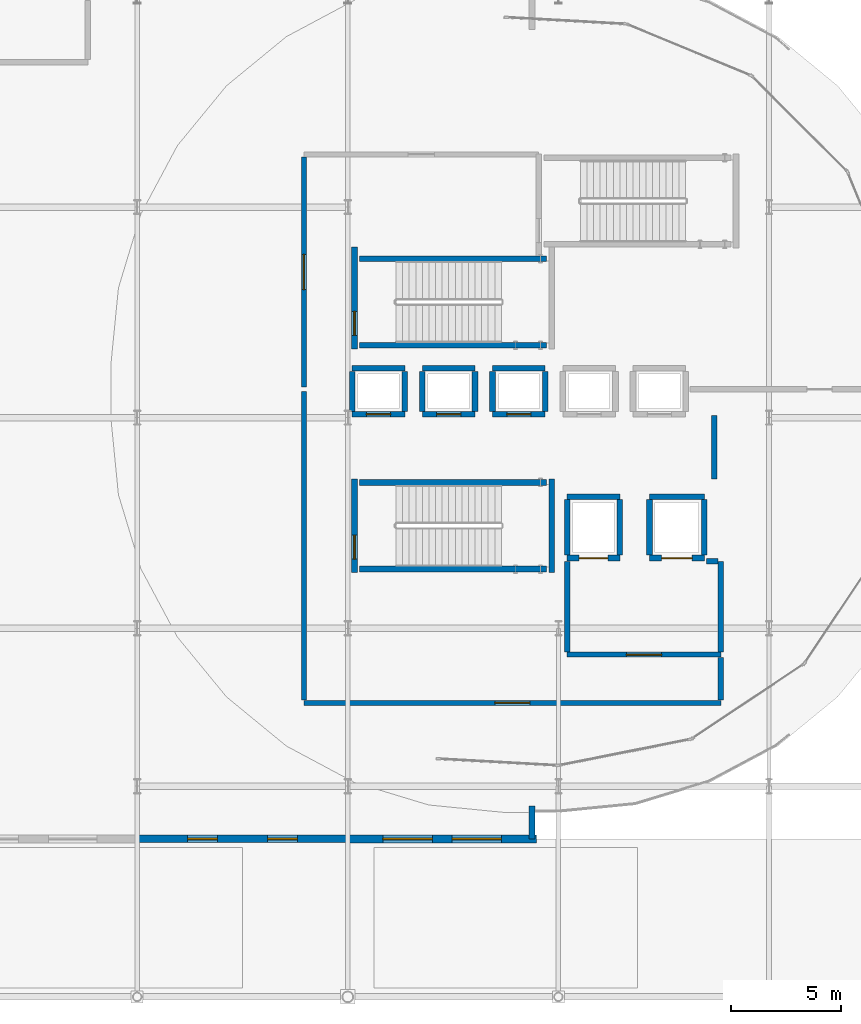
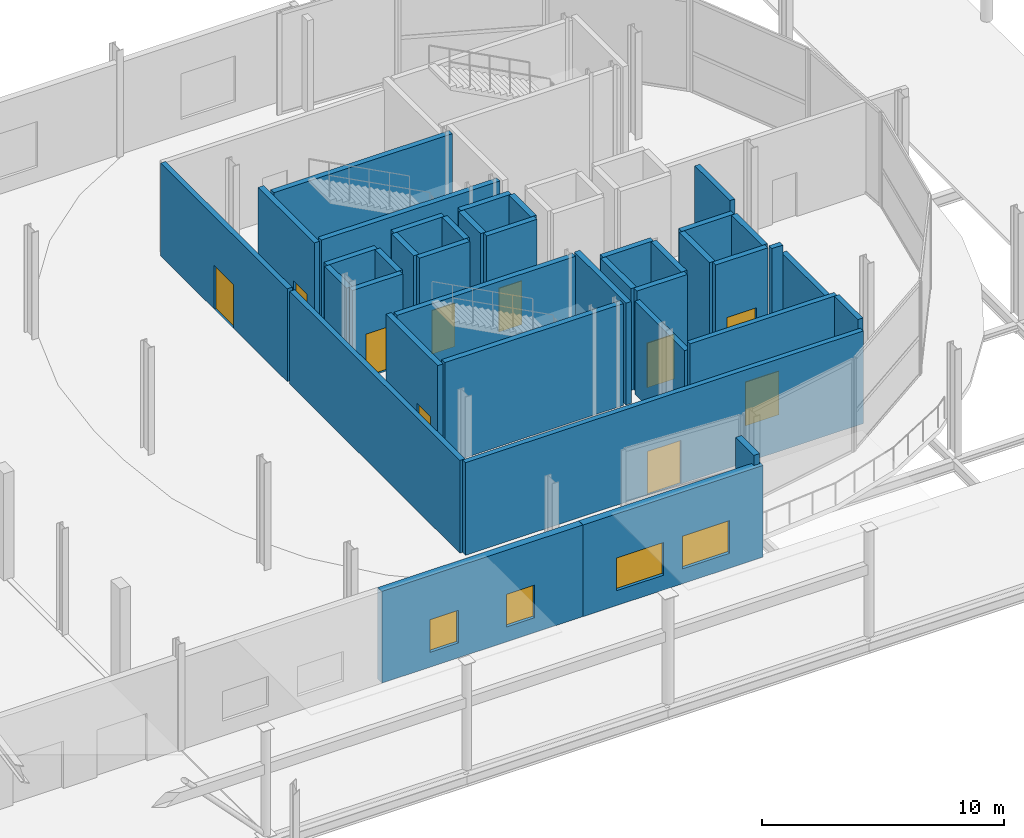
# One storey, part 58 of 84: 39 walls, 10 doors, 4 windows, 14 openings.
"""IFC4 building model written with IfcOpenShell, lengths in metres."""

from ifc_helpers import new_model, si_unit, direction, frame, frame_2d, origin, place, context, subcontext, project, spatial, rectangle, extrude, material, layer, layer_set, type_object, element, fill, save


model = new_model("IFC4")

# Units and contexts
model_context = context("Model", 3, precision=1e-05, world=origin(), true_north=direction((0.0, 1.0)))
body_context = subcontext(model_context, "Body", "Model", "MODEL_VIEW")
ifc_project = project(units=[si_unit("LENGTHUNIT", "METRE"), si_unit("AREAUNIT", "SQUARE_METRE"), si_unit("VOLUMEUNIT", "CUBIC_METRE"), si_unit("PLANEANGLEUNIT", "RADIAN"), si_unit("MASSUNIT", "GRAM", prefix="KILO")], contexts=[model_context])

# Site, building, storey
site_placement = place(None, origin())
site = spatial("IfcSite", under=ifc_project, at=site_placement, CompositionType="ELEMENT")
building_placement = place(site_placement, origin())
building = spatial("IfcBuilding", under=site, at=building_placement, Name="Zevrakil Square Congress Hotel", CompositionType="ELEMENT")
storey_placement = place(building_placement, origin())
storey = spatial("IfcBuildingStorey", under=building, at=storey_placement, Name="L01", CompositionType="ELEMENT", Elevation=0.0)

# Wall, opening, door
ifc_material_1 = material(Name="Concrete C35/45", Category="concrete")
ifc_layer_1 = layer(ifc_material_1, 0.239990234375)
ifc_layer_set_1 = layer_set([ifc_layer_1], Name="Concrete C35/45")
wall_type_1 = type_object("IfcWallType", Name="WAL-COMP-240", PredefinedType="SOLIDWALL", material=ifc_layer_set_1)
wall_1_placement = place(storey_placement, frame((146.800048828125, 15.60009765625, 0.0), z_axis=(0.0, 0.0, 1.0), x_axis=(1.0, 0.0, 0.0)))
wall_1 = element("IfcWall", 1, at=wall_1_placement, inside=storey, type_object=wall_type_1, Name="L01 interior partition PW-L01-0031", PredefinedType="SOLIDWALL", context=body_context, shape_type="SweptSolid", body=[
    extrude(rectangle(XDim=7.0, YDim=0.239990234375, at=frame_2d((3.5, 0.0))), origin(), (0.0, 0.0, 1.0), 5.139892578125),
])
opening_1_placement = place(wall_1_placement, frame((2.699951171875, 0.0, 0.0)))
opening_1 = element("IfcOpeningElement", 2, at=opening_1_placement, cuts=wall_1, Name="Opening FD90-D", PredefinedType="OPENING", context=body_context, shape_type="SweptSolid", body=[
    extrude(rectangle(XDim=1.60009765625, YDim=2.199951171875, at=frame_2d((0.800048828125, 1.10009765625))), frame((0.0, 0.1298828125, 0.0), z_axis=(0.0, -1.0, 0.0), x_axis=(1.0, 0.0, 0.0)), (0.0, 0.0, 1.0), 0.260009765625),
])
ifc_material_2 = material(Name="Steel S355 Double Fire Door", Category="steel")
door_type_1 = type_object("IfcDoorType", Name="DOR-FFLOB-FD90-160", OperationType="NOTDEFINED", PredefinedType="DOOR", material=ifc_material_2)
door_1_placement = place(opening_1_placement, origin())
door_1 = element("IfcDoor", 3, at=door_1_placement, inside=storey, type_object=door_type_1, Name="L01 interior door 8", OperationType="DOUBLE_DOOR_SINGLE_SWING", OverallHeight=2.199951171875, OverallWidth=1.60009765625, PredefinedType="DOOR", context=body_context, shape_type="SweptSolid", body=[
    extrude(rectangle(XDim=1.60009765625, YDim=2.199951171875, at=frame_2d((0.800048828125, 1.10009765625))), frame((0.0, 0.02490234375, 0.0), z_axis=(0.0, -1.0, 0.0), x_axis=(1.0, 0.0, 0.0)), (0.0, 0.0, 1.0), 0.050048828125),
])
fill(opening_1, door_1)

# Walls
for number, where, z_axis, x_axis, name in (
    (4, (146.800048828125, 15.72509765625, 0.0), (0.0, 0.0, 1.0), (0.0, 1.0, 0.0), "L01 interior partition PW-L01-0032"),
    (5, (153.800048828125, 15.72509765625, 0.0), (0.0, 0.0, 1.0), (0.0, 1.0, 0.0), "L01 interior partition PW-L01-0033"),
):
    element("IfcWall", number, at=place(storey_placement, frame(where, z_axis=z_axis, x_axis=x_axis)), inside=storey, type_object=wall_type_1, Name=name, PredefinedType="SOLIDWALL", context=body_context, shape_type="SweptSolid", body=[
        extrude(rectangle(XDim=4.125, YDim=0.239990234375, at=frame_2d((2.0625, 0.0))), origin(), (0.0, 0.0, 1.0), 4.68505859375),
    ])
wall_2_placement = place(storey_placement, frame((153.14990234375, 19.85009765625, 0.0), z_axis=(0.0, 0.0, 1.0), x_axis=(1.0, 0.0, 0.0)))
element("IfcWall", 6, at=wall_2_placement, inside=storey, type_object=wall_type_1, Name="L01 interior partition PW-L01-0034", PredefinedType="SOLIDWALL", context=body_context, shape_type="SweptSolid", body=[
    extrude(rectangle(XDim=0.525146484375, YDim=0.239990234375, at=frame_2d((0.2626953125, 0.0))), origin(), (0.0, 0.0, 1.0), 5.139892578125),
])

# Wall, opening, door
wall_3_placement = place(storey_placement, frame((134.800048828125, 13.39990234375, 0.0), z_axis=(0.0, 0.0, 1.0), x_axis=(1.0, 0.0, 0.0)))
wall_3 = element("IfcWall", 7, at=wall_3_placement, inside=storey, type_object=wall_type_1, Name="L01 interior partition PW-L01-0035", PredefinedType="SOLIDWALL", context=body_context, shape_type="SweptSolid", body=[
    extrude(rectangle(XDim=19.0, YDim=0.239990234375, at=frame_2d((9.5, 0.0))), origin(), (0.0, 0.0, 1.0), 4.675048828125),
])
opening_2_placement = place(wall_3_placement, frame((8.699951171875, 0.0, 0.0)))
opening_2 = element("IfcOpeningElement", 8, at=opening_2_placement, cuts=wall_3, Name="Opening FD90-D", PredefinedType="OPENING", context=body_context, shape_type="SweptSolid", body=[
    extrude(rectangle(XDim=1.60009765625, YDim=2.199951171875, at=frame_2d((0.800048828125, 1.10009765625))), frame((0.0, 0.1298828125, 0.0), z_axis=(0.0, -1.0, 0.0), x_axis=(1.0, 0.0, 0.0)), (0.0, 0.0, 1.0), 0.260009765625),
])
door_2_placement = place(opening_2_placement, origin())
door_2 = element("IfcDoor", 9, at=door_2_placement, inside=storey, type_object=door_type_1, Name="L01 interior door 9", OperationType="DOUBLE_DOOR_SINGLE_SWING", OverallHeight=2.199951171875, OverallWidth=1.60009765625, PredefinedType="DOOR", context=body_context, shape_type="SweptSolid", body=[
    extrude(rectangle(XDim=1.60009765625, YDim=2.199951171875, at=frame_2d((0.800048828125, 1.10009765625))), frame((0.0, 0.02490234375, 0.0), z_axis=(0.0, -1.0, 0.0), x_axis=(1.0, 0.0, 0.0)), (0.0, 0.0, 1.0), 0.050048828125),
])
fill(opening_2, door_2)

# Walls
wall_4_placement = place(storey_placement, frame((153.800048828125, 13.52490234375, 0.0), z_axis=(0.0, 0.0, 1.0), x_axis=(0.0, 1.0, 0.0)))
element("IfcWall", 10, at=wall_4_placement, inside=storey, type_object=wall_type_1, Name="L01 interior partition PW-L01-0036", PredefinedType="SOLIDWALL", context=body_context, shape_type="SweptSolid", body=[
    extrude(rectangle(XDim=1.9501953125, YDim=0.239990234375, at=frame_2d((0.97509765625, 0.0))), origin(), (0.0, 0.0, 1.0), 5.139892578125),
])
wall_5_placement = place(storey_placement, frame((134.800048828125, 13.52490234375, 0.0), z_axis=(0.0, 0.0, 1.0), x_axis=(0.0, 1.0, 0.0)))
element("IfcWall", 11, at=wall_5_placement, inside=storey, type_object=wall_type_1, Name="L01 interior partition PW-L01-0037", PredefinedType="SOLIDWALL", context=body_context, shape_type="SweptSolid", body=[
    extrude(rectangle(XDim=14.0751953125, YDim=0.239990234375, at=frame_2d((7.03759765625, 0.0))), origin(), (0.0, 0.0, 1.0), 4.68505859375),
])

# Wall, opening, door
wall_6_placement = place(storey_placement, frame((134.800048828125, 27.800048828125, 0.0), z_axis=(0.0, 0.0, 1.0), x_axis=(0.0, 1.0, 0.0)))
wall_6 = element("IfcWall", 12, at=wall_6_placement, inside=storey, type_object=wall_type_1, Name="L01 interior partition PW-L01-0038", PredefinedType="SOLIDWALL", context=body_context, shape_type="SweptSolid", body=[
    extrude(rectangle(XDim=10.474853515625, YDim=0.239990234375, at=frame_2d((5.2373046875, 0.0))), origin(), (0.0, 0.0, 1.0), 4.68505859375),
])
opening_3_placement = place(wall_6_placement, frame((4.4375, 0.0, 0.0)))
opening_3 = element("IfcOpeningElement", 13, at=opening_3_placement, cuts=wall_6, Name="Opening FD90-D", PredefinedType="OPENING", context=body_context, shape_type="SweptSolid", body=[
    extrude(rectangle(XDim=1.60009765625, YDim=2.199951171875, at=frame_2d((0.800048828125, 1.10009765625))), frame((0.0, 0.1298828125, 0.0), z_axis=(0.0, -1.0, 0.0), x_axis=(1.0, 0.0, 0.0)), (0.0, 0.0, 1.0), 0.260009765625),
])
door_3_placement = place(opening_3_placement, origin())
door_3 = element("IfcDoor", 14, at=door_3_placement, inside=storey, type_object=door_type_1, Name="L01 interior door 10", OperationType="DOUBLE_DOOR_SINGLE_SWING", OverallHeight=2.199951171875, OverallWidth=1.60009765625, PredefinedType="DOOR", context=body_context, shape_type="SweptSolid", body=[
    extrude(rectangle(XDim=1.60009765625, YDim=2.199951171875, at=frame_2d((0.800048828125, 1.10009765625))), frame((0.0, 0.02490234375, 0.0), z_axis=(0.0, -1.0, 0.0), x_axis=(1.0, 0.0, 0.0)), (0.0, 0.0, 1.0), 0.050048828125),
])
fill(opening_3, door_3)

# Wall
wall_7_placement = place(storey_placement, frame((153.5, 23.60009765625, 0.0), z_axis=(0.0, 0.0, 1.0), x_axis=(0.0, 1.0, 0.0)))
element("IfcWall", 15, at=wall_7_placement, inside=storey, type_object=wall_type_1, Name="L01 interior partition PW-L01-0040", PredefinedType="SOLIDWALL", context=body_context, shape_type="SweptSolid", body=[
    extrude(rectangle(XDim=2.89990234375, YDim=0.239990234375, at=frame_2d((1.449951171875, 0.0))), origin(), (0.0, 0.0, 1.0), 5.139892578125),
])

# Wall, openings, windows
ifc_material_3 = material(Name="Precast concrete C40/50", Category="concrete")
ifc_layer_2 = layer(ifc_material_3, 0.340087890625)
ifc_layer_set_2 = layer_set([ifc_layer_2], Name="Precast concrete C40/50")
wall_type_2 = type_object("IfcWallType", Name="WAL-EXT-COL-340", PredefinedType="SOLIDWALL", material=ifc_layer_set_2)
wall_8_placement = place(storey_placement, frame((127.202880859375, 7.199951171875, 0.0), z_axis=(0.0, 0.0, 1.0), x_axis=(1.0, 0.0, 0.0)))
wall_8 = element("IfcWall", 16, at=wall_8_placement, inside=storey, type_object=wall_type_2, Name="L01 exterior GRC wall EW-L01-0022", PredefinedType="SOLIDWALL", context=body_context, shape_type="SweptSolid", body=[
    extrude(rectangle(XDim=9.59423828125, YDim=0.340087890625, at=frame_2d((4.797119140625, 0.0))), origin(), (0.0, 0.0, 1.0), 4.625),
])
opening_4_placement = place(wall_8_placement, frame((2.298583984375, 0.0, 0.75)))
opening_4 = element("IfcOpeningElement", 17, at=opening_4_placement, cuts=wall_8, Name="Opening WN-14", PredefinedType="OPENING", context=body_context, shape_type="SweptSolid", body=[
    extrude(rectangle(XDim=1.35009765625, YDim=1.64990234375, at=frame_2d((0.675048828125, 0.824951171875))), frame((0.0, 0.18017578125, 0.0), z_axis=(0.0, -1.0, 0.0), x_axis=(1.0, 0.0, 0.0)), (0.0, 0.0, 1.0), 0.360107421875),
])
opening_5_placement = place(wall_8_placement, frame((5.945556640625, 0.0, 0.75)))
opening_5 = element("IfcOpeningElement", 18, at=opening_5_placement, cuts=wall_8, Name="Opening WN-14", PredefinedType="OPENING", context=body_context, shape_type="SweptSolid", body=[
    extrude(rectangle(XDim=1.35009765625, YDim=1.64990234375, at=frame_2d((0.675048828125, 0.824951171875))), frame((0.0, 0.18017578125, 0.0), z_axis=(0.0, -1.0, 0.0), x_axis=(1.0, 0.0, 0.0)), (0.0, 0.0, 1.0), 0.360107421875),
])
ifc_material_4 = material(Name="Low-E Solar Control Double Glazing", Category="glass")
window_type_1 = type_object("IfcWindowType", Name="WIN-EXT-14", PartitioningType="SINGLE_PANEL", PredefinedType="WINDOW", material=ifc_material_4)
window_1_placement = place(opening_4_placement, origin())
window_1 = element("IfcWindow", 19, at=window_1_placement, inside=storey, type_object=window_type_1, Name="L01 low-E solar window 14", OverallHeight=1.64990234375, OverallWidth=1.35009765625, PartitioningType="SINGLE_PANEL", PredefinedType="WINDOW", context=body_context, shape_type="SweptSolid", body=[
    extrude(rectangle(XDim=1.35009765625, YDim=1.64990234375, at=frame_2d((0.675048828125, 0.824951171875))), frame((0.0, 0.030029296875, 0.0), z_axis=(0.0, -1.0, 0.0), x_axis=(1.0, 0.0, 0.0)), (0.0, 0.0, 1.0), 0.06005859375),
])
fill(opening_4, window_1)
window_2_placement = place(opening_5_placement, origin())
window_2 = element("IfcWindow", 20, at=window_2_placement, inside=storey, type_object=window_type_1, Name="L01 low-E solar window 15", OverallHeight=1.64990234375, OverallWidth=1.35009765625, PartitioningType="SINGLE_PANEL", PredefinedType="WINDOW", context=body_context, shape_type="SweptSolid", body=[
    extrude(rectangle(XDim=1.35009765625, YDim=1.64990234375, at=frame_2d((0.675048828125, 0.824951171875))), frame((0.0, 0.030029296875, 0.0), z_axis=(0.0, -1.0, 0.0), x_axis=(1.0, 0.0, 0.0)), (0.0, 0.0, 1.0), 0.06005859375),
])
fill(opening_5, window_2)

ifc_material_5 = material(Name="Precast concrete C40/50", Category="concrete")
ifc_layer_3 = layer(ifc_material_5, 0.360107421875)
ifc_layer_set_3 = layer_set([ifc_layer_3], Name="Precast concrete C40/50")
wall_type_3 = type_object("IfcWallType", Name="WAL-EXT-GRC-360", PredefinedType="SOLIDWALL", material=ifc_layer_set_3)
wall_9_placement = place(storey_placement, frame((136.802978515625, 7.199951171875, 0.0), z_axis=(0.0, 0.0, 1.0), x_axis=(1.0, 0.0, 0.0)))
wall_9 = element("IfcWall", 21, at=wall_9_placement, inside=storey, type_object=wall_type_3, Name="L01 exterior GRC wall EW-L01-0024", PredefinedType="SOLIDWALL", context=body_context, shape_type="SweptSolid", body=[
    extrude(rectangle(XDim=8.596923828125, YDim=0.360107421875, at=frame_2d((4.29833984375, 0.0))), origin(), (0.0, 0.0, 1.0), 4.625),
])
opening_6_placement = place(wall_9_placement, frame((1.599365234375, 0.0, 0.75)))
opening_6 = element("IfcOpeningElement", 22, at=opening_6_placement, cuts=wall_9, Name="Opening WN-18", PredefinedType="OPENING", context=body_context, shape_type="SweptSolid", body=[
    extrude(rectangle(XDim=2.25, YDim=1.64990234375, at=frame_2d((1.125, 0.824951171875))), frame((0.0, 0.18994140625, 0.0), z_axis=(0.0, -1.0, 0.0), x_axis=(1.0, 0.0, 0.0)), (0.0, 0.0, 1.0), 0.380126953125),
])
opening_7_placement = place(wall_9_placement, frame((4.747802734375, 0.0, 0.75)))
opening_7 = element("IfcOpeningElement", 23, at=opening_7_placement, cuts=wall_9, Name="Opening WN-18", PredefinedType="OPENING", context=body_context, shape_type="SweptSolid", body=[
    extrude(rectangle(XDim=2.25, YDim=1.64990234375, at=frame_2d((1.125, 0.824951171875))), frame((0.0, 0.18994140625, 0.0), z_axis=(0.0, -1.0, 0.0), x_axis=(1.0, 0.0, 0.0)), (0.0, 0.0, 1.0), 0.380126953125),
])
ifc_material_6 = material(Name="Low-E Solar Control Double Glazing", Category="glass")
window_type_2 = type_object("IfcWindowType", Name="WIN-EXT-18", PartitioningType="SINGLE_PANEL", PredefinedType="WINDOW", material=ifc_material_6)
window_3_placement = place(opening_6_placement, origin())
window_3 = element("IfcWindow", 24, at=window_3_placement, inside=storey, type_object=window_type_2, Name="L01 low-E solar window 18", OverallHeight=1.64990234375, OverallWidth=2.25, PartitioningType="SINGLE_PANEL", PredefinedType="WINDOW", context=body_context, shape_type="SweptSolid", body=[
    extrude(rectangle(XDim=2.25, YDim=1.64990234375, at=frame_2d((1.125, 0.824951171875))), frame((0.0, 0.030029296875, 0.0), z_axis=(0.0, -1.0, 0.0), x_axis=(1.0, 0.0, 0.0)), (0.0, 0.0, 1.0), 0.06005859375),
])
fill(opening_6, window_3)
window_4_placement = place(opening_7_placement, origin())
window_4 = element("IfcWindow", 25, at=window_4_placement, inside=storey, type_object=window_type_2, Name="L01 low-E solar window 19", OverallHeight=1.64990234375, OverallWidth=2.25, PartitioningType="SINGLE_PANEL", PredefinedType="WINDOW", context=body_context, shape_type="SweptSolid", body=[
    extrude(rectangle(XDim=2.25, YDim=1.64990234375, at=frame_2d((1.125, 0.824951171875))), frame((0.0, 0.030029296875, 0.0), z_axis=(0.0, -1.0, 0.0), x_axis=(1.0, 0.0, 0.0)), (0.0, 0.0, 1.0), 0.06005859375),
])
fill(opening_7, window_4)

# Wall
ifc_material_7 = material(Name="Precast concrete C40/50", Category="concrete")
ifc_layer_4 = layer(ifc_material_7, 0.280029296875)
ifc_layer_set_4 = layer_set([ifc_layer_4], Name="Precast concrete C40/50")
wall_type_4 = type_object("IfcWallType", Name="WAL-EXT-PAV-280", PredefinedType="SOLIDWALL", material=ifc_layer_set_4)
wall_10_placement = place(storey_placement, frame((145.199951171875, 7.199951171875, 0.0), z_axis=(0.0, 0.0, 1.0), x_axis=(0.0, 1.0, 0.0)))
element("IfcWall", 26, at=wall_10_placement, inside=storey, type_object=wall_type_4, Name="L01 exterior GRC wall EW-L01-0102", PredefinedType="SOLIDWALL", context=body_context, shape_type="SweptSolid", body=[
    extrude(rectangle(XDim=1.5, YDim=0.280029296875, at=frame_2d((0.75, 0.0))), origin(), (0.0, 0.0, 1.0), 5.139892578125),
])

# Wall, opening, door
ifc_material_8 = material(Name="Concrete C40/50", Category="concrete")
ifc_layer_5 = layer(ifc_material_8, 0.260009765625)
ifc_layer_set_5 = layer_set([ifc_layer_5], Name="Concrete C40/50")
wall_type_5 = type_object("IfcWallType", Name="WAL-SHAFT-260", PredefinedType="SHEAR", material=ifc_layer_set_5)
wall_11_placement = place(storey_placement, frame((137.10498046875, 19.340087890625, 0.0), z_axis=(0.0, 0.0, 1.0), x_axis=(0.0, 1.0, 0.0)))
wall_11 = element("IfcWall", 27, at=wall_11_placement, inside=storey, type_object=wall_type_5, Name="L01 ST01 stair shaft W wall", PredefinedType="SHEAR", context=body_context, shape_type="SweptSolid", body=[
    extrude(rectangle(XDim=4.27001953125, YDim=0.260009765625, at=frame_2d((2.135009765625, 0.0))), origin(), (0.0, 0.0, 1.0), 5.139892578125),
])
opening_8_placement = place(wall_11_placement, frame((0.610107421875, 0.0, 0.0)))
opening_8 = element("IfcOpeningElement", 28, at=opening_8_placement, cuts=wall_11, Name="Opening SD-ST01", PredefinedType="OPENING", context=body_context, shape_type="SweptSolid", body=[
    extrude(rectangle(XDim=1.10009765625, YDim=2.199951171875, at=frame_2d((0.550048828125, 1.10009765625))), frame((0.0, 0.14013671875, 0.0), z_axis=(0.0, -1.0, 0.0), x_axis=(1.0, 0.0, 0.0)), (0.0, 0.0, 1.0), 0.280029296875),
])
ifc_material_9 = material(Name="Steel S355 Fire-Rated Door", Category="steel")
door_type_2 = type_object("IfcDoorType", Name="DOR-STAIR-FD90-110", OperationType="NOTDEFINED", PredefinedType="DOOR", material=ifc_material_9)
door_4_placement = place(opening_8_placement, origin())
door_4 = element("IfcDoor", 29, at=door_4_placement, inside=storey, type_object=door_type_2, Name="L01 ST01 protected stair fire door", OperationType="SINGLE_SWING_RIGHT", OverallHeight=2.199951171875, OverallWidth=1.10009765625, PredefinedType="DOOR", context=body_context, shape_type="SweptSolid", body=[
    extrude(rectangle(XDim=1.10009765625, YDim=2.199951171875, at=frame_2d((0.550048828125, 1.10009765625))), frame((0.0, 0.02490234375, 0.0), z_axis=(0.0, -1.0, 0.0), x_axis=(1.0, 0.0, 0.0)), (0.0, 0.0, 1.0), 0.050048828125),
])
fill(opening_8, door_4)

# Walls
wall_12_placement = place(storey_placement, frame((146.094970703125, 19.340087890625, 0.0), z_axis=(0.0, 0.0, 1.0), x_axis=(0.0, 1.0, 0.0)))
element("IfcWall", 30, at=wall_12_placement, inside=storey, type_object=wall_type_5, Name="L01 ST01 stair shaft E wall", PredefinedType="SHEAR", context=body_context, shape_type="SweptSolid", body=[
    extrude(rectangle(XDim=4.27001953125, YDim=0.260009765625, at=frame_2d((2.135009765625, 0.0))), origin(), (0.0, 0.0, 1.0), 5.139892578125),
])
for number, where, z_axis, x_axis, name in (
    (31, (137.340087890625, 19.5048828125, 0.0), (0.0, 0.0, 1.0), (1.0, 0.0, 0.0), "L01 ST01 stair shaft S wall"),
    (32, (137.340087890625, 23.445068359375, 0.0), (0.0, 0.0, 1.0), (1.0, 0.0, 0.0), "L01 ST01 stair shaft N wall"),
):
    element("IfcWall", number, at=place(storey_placement, frame(where, z_axis=z_axis, x_axis=x_axis)), inside=storey, type_object=wall_type_5, Name=name, PredefinedType="SHEAR", context=body_context, shape_type="SweptSolid", body=[
        extrude(rectangle(XDim=8.52001953125, YDim=0.260009765625, at=frame_2d((4.260009765625, 0.0))), origin(), (0.0, 0.0, 1.0), 5.139892578125),
    ])

# Wall, opening, door
wall_13_placement = place(storey_placement, frame((137.10498046875, 29.5400390625, 0.0), z_axis=(0.0, 0.0, 1.0), x_axis=(0.0, 1.0, 0.0)))
wall_13 = element("IfcWall", 33, at=wall_13_placement, inside=storey, type_object=wall_type_5, Name="L01 ST02 stair shaft W wall", PredefinedType="SHEAR", context=body_context, shape_type="SweptSolid", body=[
    extrude(rectangle(XDim=4.635009765625, YDim=0.260009765625, at=frame_2d((2.3173828125, 0.0))), origin(), (0.0, 0.0, 1.0), 5.139892578125),
])
opening_9_placement = place(wall_13_placement, frame((0.610107421875, 0.0, 0.0)))
opening_9 = element("IfcOpeningElement", 34, at=opening_9_placement, cuts=wall_13, Name="Opening SD-ST02", PredefinedType="OPENING", context=body_context, shape_type="SweptSolid", body=[
    extrude(rectangle(XDim=1.10009765625, YDim=2.199951171875, at=frame_2d((0.550048828125, 1.10009765625))), frame((0.0, 0.14013671875, 0.0), z_axis=(0.0, -1.0, 0.0), x_axis=(1.0, 0.0, 0.0)), (0.0, 0.0, 1.0), 0.280029296875),
])
door_5_placement = place(opening_9_placement, origin())
door_5 = element("IfcDoor", 35, at=door_5_placement, inside=storey, type_object=door_type_2, Name="L01 ST02 protected stair fire door", OperationType="SINGLE_SWING_RIGHT", OverallHeight=2.199951171875, OverallWidth=1.10009765625, PredefinedType="DOOR", context=body_context, shape_type="SweptSolid", body=[
    extrude(rectangle(XDim=1.10009765625, YDim=2.199951171875, at=frame_2d((0.550048828125, 1.10009765625))), frame((0.0, 0.02490234375, 0.0), z_axis=(0.0, -1.0, 0.0), x_axis=(1.0, 0.0, 0.0)), (0.0, 0.0, 1.0), 0.050048828125),
])
fill(opening_9, door_5)

# Walls
for number, where, z_axis, x_axis, name in (
    (36, (137.340087890625, 29.705078125, 0.0), (0.0, 0.0, 1.0), (1.0, 0.0, 0.0), "L01 ST02 stair shaft S wall"),
    (37, (137.340087890625, 33.64501953125, 0.0), (0.0, 0.0, 1.0), (1.0, 0.0, 0.0), "L01 ST02 stair shaft N wall"),
):
    element("IfcWall", number, at=place(storey_placement, frame(where, z_axis=z_axis, x_axis=x_axis)), inside=storey, type_object=wall_type_5, Name=name, PredefinedType="SHEAR", context=body_context, shape_type="SweptSolid", body=[
        extrude(rectangle(XDim=8.52001953125, YDim=0.260009765625, at=frame_2d((4.260009765625, 0.0))), origin(), (0.0, 0.0, 1.0), 5.139892578125),
    ])

# Wall, opening, door
wall_14_placement = place(storey_placement, frame((137.0, 26.550048828125, 0.0), z_axis=(0.0, 0.0, 1.0), x_axis=(1.0, 0.0, 0.0)))
wall_14 = element("IfcWall", 38, at=wall_14_placement, inside=storey, type_object=wall_type_5, Name="L01 HL1 lift shaft wall", PredefinedType="SHEAR", context=body_context, shape_type="SweptSolid", body=[
    extrude(rectangle(XDim=2.39990234375, YDim=0.260009765625, at=frame_2d((1.199951171875, 0.0))), origin(), (0.0, 0.0, 1.0), 4.625),
])
opening_10_placement = place(wall_14_placement, frame((0.64990234375, 0.0, 0.0)))
opening_10 = element("IfcOpeningElement", 39, at=opening_10_placement, cuts=wall_14, Name="Opening LD-HL1", PredefinedType="OPENING", context=body_context, shape_type="SweptSolid", body=[
    extrude(rectangle(XDim=1.10009765625, YDim=2.199951171875, at=frame_2d((0.550048828125, 1.10009765625))), frame((0.0, 0.14013671875, 0.0), z_axis=(0.0, -1.0, 0.0), x_axis=(1.0, 0.0, 0.0)), (0.0, 0.0, 1.0), 0.280029296875),
])
ifc_material_10 = material(Name="Stainless Steel Sliding Lift Landing Door", Category="steel")
door_type_3 = type_object("IfcDoorType", Name="DOR-LIFT-LD110", OperationType="NOTDEFINED", PredefinedType="DOOR", material=ifc_material_10)
door_6_placement = place(opening_10_placement, origin())
door_6 = element("IfcDoor", 40, at=door_6_placement, inside=storey, type_object=door_type_3, Name="L01 HL1 sliding lift landing door", OperationType="SLIDING_TO_LEFT", OverallHeight=2.199951171875, OverallWidth=1.10009765625, PredefinedType="DOOR", context=body_context, shape_type="SweptSolid", body=[
    extrude(rectangle(XDim=1.10009765625, YDim=2.199951171875, at=frame_2d((0.550048828125, 1.10009765625))), frame((0.0, 0.02490234375, 0.0), z_axis=(0.0, -1.0, 0.0), x_axis=(1.0, 0.0, 0.0)), (0.0, 0.0, 1.0), 0.050048828125),
])
fill(opening_10, door_6)

# Walls
wall_15_placement = place(storey_placement, frame((137.0, 28.64990234375, 0.0), z_axis=(0.0, 0.0, 1.0), x_axis=(1.0, 0.0, 0.0)))
element("IfcWall", 41, at=wall_15_placement, inside=storey, type_object=wall_type_5, Name="L01 HL1 lift shaft wall", PredefinedType="SHEAR", context=body_context, shape_type="SweptSolid", body=[
    extrude(rectangle(XDim=2.39990234375, YDim=0.260009765625, at=frame_2d((1.199951171875, 0.0))), origin(), (0.0, 0.0, 1.0), 4.625),
])
for number, where, z_axis, x_axis, name in (
    (42, (137.0, 26.68994140625, 0.0), (0.0, 0.0, 1.0), (0.0, 1.0, 0.0), "L01 HL1 lift shaft wall"),
    (43, (139.39990234375, 26.68994140625, 0.0), (0.0, 0.0, 1.0), (0.0, 1.0, 0.0), "L01 HL1 lift shaft wall"),
):
    element("IfcWall", number, at=place(storey_placement, frame(where, z_axis=z_axis, x_axis=x_axis)), inside=storey, type_object=wall_type_5, Name=name, PredefinedType="SHEAR", context=body_context, shape_type="SweptSolid", body=[
        extrude(rectangle(XDim=1.820068359375, YDim=0.260009765625, at=frame_2d((0.91015625, 0.0))), origin(), (0.0, 0.0, 1.0), 4.625),
    ])

# Wall, opening, door
wall_16_placement = place(storey_placement, frame((140.199951171875, 26.550048828125, 0.0), z_axis=(0.0, 0.0, 1.0), x_axis=(1.0, 0.0, 0.0)))
wall_16 = element("IfcWall", 44, at=wall_16_placement, inside=storey, type_object=wall_type_5, Name="L01 HL2 lift shaft wall", PredefinedType="SHEAR", context=body_context, shape_type="SweptSolid", body=[
    extrude(rectangle(XDim=2.400146484375, YDim=0.260009765625, at=frame_2d((1.2001953125, 0.0))), origin(), (0.0, 0.0, 1.0), 5.139892578125),
])
opening_11_placement = place(wall_16_placement, frame((0.64990234375, 0.0, 0.0)))
opening_11 = element("IfcOpeningElement", 45, at=opening_11_placement, cuts=wall_16, Name="Opening LD-HL2", PredefinedType="OPENING", context=body_context, shape_type="SweptSolid", body=[
    extrude(rectangle(XDim=1.10009765625, YDim=2.199951171875, at=frame_2d((0.550048828125, 1.10009765625))), frame((0.0, 0.14013671875, 0.0), z_axis=(0.0, -1.0, 0.0), x_axis=(1.0, 0.0, 0.0)), (0.0, 0.0, 1.0), 0.280029296875),
])
door_7_placement = place(opening_11_placement, origin())
door_7 = element("IfcDoor", 46, at=door_7_placement, inside=storey, type_object=door_type_3, Name="L01 HL2 sliding lift landing door", OperationType="SLIDING_TO_RIGHT", OverallHeight=2.199951171875, OverallWidth=1.10009765625, PredefinedType="DOOR", context=body_context, shape_type="SweptSolid", body=[
    extrude(rectangle(XDim=1.10009765625, YDim=2.199951171875, at=frame_2d((0.550048828125, 1.10009765625))), frame((0.0, 0.02490234375, 0.0), z_axis=(0.0, -1.0, 0.0), x_axis=(1.0, 0.0, 0.0)), (0.0, 0.0, 1.0), 0.050048828125),
])
fill(opening_11, door_7)

# Walls
wall_17_placement = place(storey_placement, frame((140.199951171875, 28.64990234375, 0.0), z_axis=(0.0, 0.0, 1.0), x_axis=(1.0, 0.0, 0.0)))
element("IfcWall", 47, at=wall_17_placement, inside=storey, type_object=wall_type_5, Name="L01 HL2 lift shaft wall", PredefinedType="SHEAR", context=body_context, shape_type="SweptSolid", body=[
    extrude(rectangle(XDim=2.400146484375, YDim=0.260009765625, at=frame_2d((1.2001953125, 0.0))), origin(), (0.0, 0.0, 1.0), 5.139892578125),
])
for number, where, z_axis, x_axis, name in (
    (48, (140.199951171875, 26.68994140625, 0.0), (0.0, 0.0, 1.0), (0.0, 1.0, 0.0), "L01 HL2 lift shaft wall"),
    (49, (142.60009765625, 26.68994140625, 0.0), (0.0, 0.0, 1.0), (0.0, 1.0, 0.0), "L01 HL2 lift shaft wall"),
):
    element("IfcWall", number, at=place(storey_placement, frame(where, z_axis=z_axis, x_axis=x_axis)), inside=storey, type_object=wall_type_5, Name=name, PredefinedType="SHEAR", context=body_context, shape_type="SweptSolid", body=[
        extrude(rectangle(XDim=1.820068359375, YDim=0.260009765625, at=frame_2d((0.91015625, 0.0))), origin(), (0.0, 0.0, 1.0), 5.139892578125),
    ])

# Wall, opening, door
wall_18_placement = place(storey_placement, frame((143.39990234375, 26.550048828125, 0.0), z_axis=(0.0, 0.0, 1.0), x_axis=(1.0, 0.0, 0.0)))
wall_18 = element("IfcWall", 50, at=wall_18_placement, inside=storey, type_object=wall_type_5, Name="L01 HL3 lift shaft wall", PredefinedType="SHEAR", context=body_context, shape_type="SweptSolid", body=[
    extrude(rectangle(XDim=2.400146484375, YDim=0.260009765625, at=frame_2d((1.2001953125, 0.0))), origin(), (0.0, 0.0, 1.0), 5.139892578125),
])
opening_12_placement = place(wall_18_placement, frame((0.64990234375, 0.0, 0.0)))
opening_12 = element("IfcOpeningElement", 51, at=opening_12_placement, cuts=wall_18, Name="Opening LD-HL3", PredefinedType="OPENING", context=body_context, shape_type="SweptSolid", body=[
    extrude(rectangle(XDim=1.10009765625, YDim=2.199951171875, at=frame_2d((0.550048828125, 1.10009765625))), frame((0.0, 0.14013671875, 0.0), z_axis=(0.0, -1.0, 0.0), x_axis=(1.0, 0.0, 0.0)), (0.0, 0.0, 1.0), 0.280029296875),
])
door_8_placement = place(opening_12_placement, origin())
door_8 = element("IfcDoor", 52, at=door_8_placement, inside=storey, type_object=door_type_3, Name="L01 HL3 sliding lift landing door", OperationType="SLIDING_TO_LEFT", OverallHeight=2.199951171875, OverallWidth=1.10009765625, PredefinedType="DOOR", context=body_context, shape_type="SweptSolid", body=[
    extrude(rectangle(XDim=1.10009765625, YDim=2.199951171875, at=frame_2d((0.550048828125, 1.10009765625))), frame((0.0, 0.02490234375, 0.0), z_axis=(0.0, -1.0, 0.0), x_axis=(1.0, 0.0, 0.0)), (0.0, 0.0, 1.0), 0.050048828125),
])
fill(opening_12, door_8)

# Walls
wall_19_placement = place(storey_placement, frame((143.39990234375, 28.64990234375, 0.0), z_axis=(0.0, 0.0, 1.0), x_axis=(1.0, 0.0, 0.0)))
element("IfcWall", 53, at=wall_19_placement, inside=storey, type_object=wall_type_5, Name="L01 HL3 lift shaft wall", PredefinedType="SHEAR", context=body_context, shape_type="SweptSolid", body=[
    extrude(rectangle(XDim=2.400146484375, YDim=0.260009765625, at=frame_2d((1.2001953125, 0.0))), origin(), (0.0, 0.0, 1.0), 5.139892578125),
])
for number, where, z_axis, x_axis, name in (
    (54, (143.39990234375, 26.68994140625, 0.0), (0.0, 0.0, 1.0), (0.0, 1.0, 0.0), "L01 HL3 lift shaft wall"),
    (55, (145.800048828125, 26.68994140625, 0.0), (0.0, 0.0, 1.0), (0.0, 1.0, 0.0), "L01 HL3 lift shaft wall"),
):
    element("IfcWall", number, at=place(storey_placement, frame(where, z_axis=z_axis, x_axis=x_axis)), inside=storey, type_object=wall_type_5, Name=name, PredefinedType="SHEAR", context=body_context, shape_type="SweptSolid", body=[
        extrude(rectangle(XDim=1.820068359375, YDim=0.260009765625, at=frame_2d((0.91015625, 0.0))), origin(), (0.0, 0.0, 1.0), 5.139892578125),
    ])

# Wall, opening, door
wall_20_placement = place(storey_placement, frame((146.800048828125, 20.0, 0.0), z_axis=(0.0, 0.0, 1.0), x_axis=(1.0, 0.0, 0.0)))
wall_20 = element("IfcWall", 56, at=wall_20_placement, inside=storey, type_object=wall_type_5, Name="L01 FFL1 lift shaft wall", PredefinedType="SHEAR", context=body_context, shape_type="SweptSolid", body=[
    extrude(rectangle(XDim=2.39990234375, YDim=0.260009765625, at=frame_2d((1.199951171875, 0.0))), origin(), (0.0, 0.0, 1.0), 5.139892578125),
])
opening_13_placement = place(wall_20_placement, frame((0.550048828125, 0.0, 0.0)))
opening_13 = element("IfcOpeningElement", 57, at=opening_13_placement, cuts=wall_20, Name="Opening LD-FFL1", PredefinedType="OPENING", context=body_context, shape_type="SweptSolid", body=[
    extrude(rectangle(XDim=1.300048828125, YDim=2.25, at=frame_2d((0.64990234375, 1.125))), frame((0.0, 0.14013671875, 0.0), z_axis=(0.0, -1.0, 0.0), x_axis=(1.0, 0.0, 0.0)), (0.0, 0.0, 1.0), 0.280029296875),
])
ifc_material_11 = material(Name="Stretcher Firefighting Sliding Landing Door")
door_type_4 = type_object("IfcDoorType", Name="DOR-LIFT-LD130", OperationType="NOTDEFINED", PredefinedType="DOOR", material=ifc_material_11)
door_9_placement = place(opening_13_placement, origin())
door_9 = element("IfcDoor", 58, at=door_9_placement, inside=storey, type_object=door_type_4, Name="L01 FFL1 sliding lift landing door", OperationType="SLIDING_TO_RIGHT", OverallHeight=2.25, OverallWidth=1.300048828125, PredefinedType="DOOR", context=body_context, shape_type="SweptSolid", body=[
    extrude(rectangle(XDim=1.300048828125, YDim=2.25, at=frame_2d((0.64990234375, 1.125))), frame((0.0, 0.02490234375, 0.0), z_axis=(0.0, -1.0, 0.0), x_axis=(1.0, 0.0, 0.0)), (0.0, 0.0, 1.0), 0.050048828125),
])
fill(opening_13, door_9)

# Walls
wall_21_placement = place(storey_placement, frame((146.800048828125, 22.800048828125, 0.0), z_axis=(0.0, 0.0, 1.0), x_axis=(1.0, 0.0, 0.0)))
element("IfcWall", 59, at=wall_21_placement, inside=storey, type_object=wall_type_5, Name="L01 FFL1 lift shaft wall", PredefinedType="SHEAR", context=body_context, shape_type="SweptSolid", body=[
    extrude(rectangle(XDim=2.39990234375, YDim=0.260009765625, at=frame_2d((1.199951171875, 0.0))), origin(), (0.0, 0.0, 1.0), 5.139892578125),
])
for number, where, z_axis, x_axis, name in (
    (60, (146.800048828125, 20.139892578125, 0.0), (0.0, 0.0, 1.0), (0.0, 1.0, 0.0), "L01 FFL1 lift shaft wall"),
    (61, (149.199951171875, 20.139892578125, 0.0), (0.0, 0.0, 1.0), (0.0, 1.0, 0.0), "L01 FFL1 lift shaft wall"),
):
    element("IfcWall", number, at=place(storey_placement, frame(where, z_axis=z_axis, x_axis=x_axis)), inside=storey, type_object=wall_type_5, Name=name, PredefinedType="SHEAR", context=body_context, shape_type="SweptSolid", body=[
        extrude(rectangle(XDim=2.52001953125, YDim=0.260009765625, at=frame_2d((1.260009765625, 0.0))), origin(), (0.0, 0.0, 1.0), 5.139892578125),
    ])

# Wall, opening, door
wall_22_placement = place(storey_placement, frame((150.550048828125, 20.0, 0.0), z_axis=(0.0, 0.0, 1.0), x_axis=(1.0, 0.0, 0.0)))
wall_22 = element("IfcWall", 62, at=wall_22_placement, inside=storey, type_object=wall_type_5, Name="L01 SL1 lift shaft wall", PredefinedType="SHEAR", context=body_context, shape_type="SweptSolid", body=[
    extrude(rectangle(XDim=2.5, YDim=0.260009765625, at=frame_2d((1.25, 0.0))), origin(), (0.0, 0.0, 1.0), 5.139892578125),
])
opening_14_placement = place(wall_22_placement, frame((0.550048828125, 0.0, 0.0)))
opening_14 = element("IfcOpeningElement", 63, at=opening_14_placement, cuts=wall_22, Name="Opening LD-SL1", PredefinedType="OPENING", context=body_context, shape_type="SweptSolid", body=[
    extrude(rectangle(XDim=1.39990234375, YDim=2.300048828125, at=frame_2d((0.699951171875, 1.14990234375))), frame((0.0, 0.14013671875, 0.0), z_axis=(0.0, -1.0, 0.0), x_axis=(1.0, 0.0, 0.0)), (0.0, 0.0, 1.0), 0.280029296875),
])
ifc_material_12 = material(Name="Goods Service Sliding Landing Door")
door_type_5 = type_object("IfcDoorType", Name="DOR-LIFT-LD140", OperationType="NOTDEFINED", PredefinedType="DOOR", material=ifc_material_12)
door_10_placement = place(opening_14_placement, origin())
door_10 = element("IfcDoor", 64, at=door_10_placement, inside=storey, type_object=door_type_5, Name="L01 SL1 sliding lift landing door", OperationType="SLIDING_TO_LEFT", OverallHeight=2.300048828125, OverallWidth=1.39990234375, PredefinedType="DOOR", context=body_context, shape_type="SweptSolid", body=[
    extrude(rectangle(XDim=1.39990234375, YDim=2.300048828125, at=frame_2d((0.699951171875, 1.14990234375))), frame((0.0, 0.02490234375, 0.0), z_axis=(0.0, -1.0, 0.0), x_axis=(1.0, 0.0, 0.0)), (0.0, 0.0, 1.0), 0.050048828125),
])
fill(opening_14, door_10)

# Walls
wall_23_placement = place(storey_placement, frame((150.550048828125, 22.800048828125, 0.0), z_axis=(0.0, 0.0, 1.0), x_axis=(1.0, 0.0, 0.0)))
element("IfcWall", 65, at=wall_23_placement, inside=storey, type_object=wall_type_5, Name="L01 SL1 lift shaft wall", PredefinedType="SHEAR", context=body_context, shape_type="SweptSolid", body=[
    extrude(rectangle(XDim=2.5, YDim=0.260009765625, at=frame_2d((1.25, 0.0))), origin(), (0.0, 0.0, 1.0), 5.139892578125),
])
for number, where, z_axis, x_axis, name in (
    (66, (150.550048828125, 20.139892578125, 0.0), (0.0, 0.0, 1.0), (0.0, 1.0, 0.0), "L01 SL1 lift shaft wall"),
    (67, (153.050048828125, 20.139892578125, 0.0), (0.0, 0.0, 1.0), (0.0, 1.0, 0.0), "L01 SL1 lift shaft wall"),
):
    element("IfcWall", number, at=place(storey_placement, frame(where, z_axis=z_axis, x_axis=x_axis)), inside=storey, type_object=wall_type_5, Name=name, PredefinedType="SHEAR", context=body_context, shape_type="SweptSolid", body=[
        extrude(rectangle(XDim=2.52001953125, YDim=0.260009765625, at=frame_2d((1.260009765625, 0.0))), origin(), (0.0, 0.0, 1.0), 5.139892578125),
    ])

save(model, "model.ifc")
